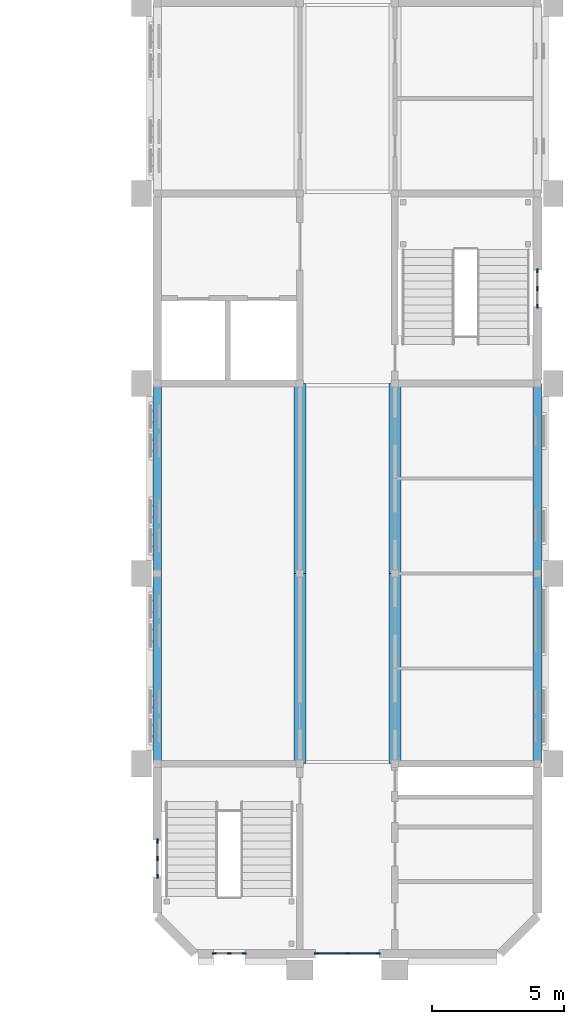
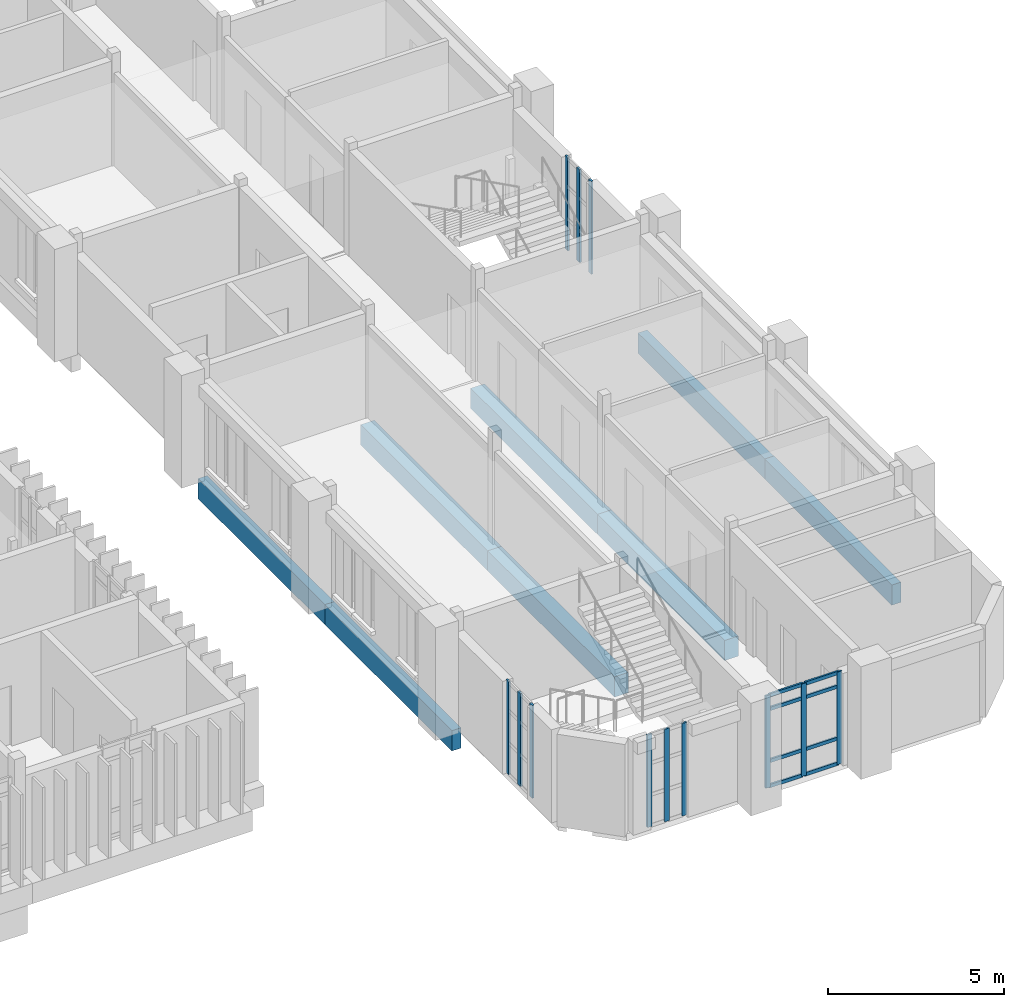
# One storey, part 19 of 69: 20 members, 8 beams, 4 elements without a shape of their own.
"""IFC4 building model written with IfcOpenShell, lengths in metres."""

from ifc_helpers import new_model, si_unit, direction, frame, origin, origin_2d, place, context, subcontext, project, spatial, rectangle, extrude, material, layer, layer_set, material_profile, profile_set, type_object, element, aggregate, save


model = new_model("IFC4")

# Units and contexts
model_context = context("Model", 3, precision=1e-05, world=origin(), true_north=direction((0.0, 1.0)))
body_context = subcontext(model_context, "Body", "Model", "MODEL_VIEW")
ifc_project = project(units=[si_unit("LENGTHUNIT", "METRE"), si_unit("AREAUNIT", "SQUARE_METRE"), si_unit("VOLUMEUNIT", "CUBIC_METRE"), si_unit("PLANEANGLEUNIT", "RADIAN"), si_unit("MASSUNIT", "GRAM", prefix="KILO")], contexts=[model_context])

# Site, building, storey
site_placement = place(None, origin())
site = spatial("IfcSite", under=ifc_project, at=site_placement, CompositionType="ELEMENT")
building_placement = place(site_placement, origin())
building = spatial("IfcBuilding", under=site, at=building_placement, Name="Mazhai Court Health Centre", CompositionType="ELEMENT")
storey_placement = place(building_placement, frame((0.0, 0.0, 6.300048828125)))
storey = spatial("IfcBuildingStorey", under=building, at=storey_placement, Name="L01", CompositionType="ELEMENT", Elevation=6.300048828125)

# Curtain wall, members
ifc_material_1 = material(Name="Teak timber frame, glazed", Category="wood")
ifc_layer_1 = layer(ifc_material_1, 0.10009765625)
ifc_layer_set_1 = layer_set([ifc_layer_1], Name="CURTAIN WALL TIMBER 600")
curtain_wall_type_1 = type_object("IfcCurtainWallType", Name="CURTAIN WALL TIMBER 600", PredefinedType="NOTDEFINED", material=ifc_layer_set_1)
curtain_wall_1_placement = place(storey_placement, origin())
curtain_wall_1 = element("IfcCurtainWall", 1, at=curtain_wall_1_placement, inside=storey, type_object=curtain_wall_type_1, Name="CW-V6-L01-A0", PredefinedType="NOTDEFINED")
ifc_material_2 = material(Name="Teak timber", Category="wood")
ifc_material_profile_1 = material_profile(ifc_material_2, rectangle(XDim=0.06005859375, YDim=0.159912109375, at=origin_2d()), Name="CW MULLION 60x160")
ifc_profile_set_1 = profile_set([ifc_material_profile_1], Name="Teak timber")
member_type_1 = type_object("IfcMemberType", Name="CW MULLION 60x160", PredefinedType="MULLION", material=ifc_profile_set_1)
member_1_placement = place(storey_placement, frame((135.800048828125, 9.1298828125, 0.0), z_axis=(0.0, 0.0, 1.0), x_axis=(-1.0, 0.0, 0.0)))
member_1 = element("IfcMember", 2, at=member_1_placement, type_object=member_type_1, Name="CW mullion 1", PredefinedType="MULLION", context=body_context, shape_type="SweptSolid", body=[
    extrude(rectangle(XDim=0.06005859375, YDim=0.159912109375, at=origin_2d()), origin(), (0.0, 0.0, 1.0), 3.219970703125),
])
member_2_placement = place(storey_placement, frame((135.800048828125, 9.800048828125, 0.0), z_axis=(0.0, 0.0, 1.0), x_axis=(-1.0, 0.0, 0.0)))
member_2 = element("IfcMember", 3, at=member_2_placement, type_object=member_type_1, Name="CW mullion 2", PredefinedType="MULLION", context=body_context, shape_type="SweptSolid", body=[
    extrude(rectangle(XDim=0.06005859375, YDim=0.159912109375, at=origin_2d()), origin(), (0.0, 0.0, 1.0), 3.219970703125),
])
member_3_placement = place(storey_placement, frame((135.800048828125, 10.469970703125, 0.0), z_axis=(0.0, 0.0, 1.0), x_axis=(-1.0, 0.0, 0.0)))
member_3 = element("IfcMember", 4, at=member_3_placement, type_object=member_type_1, Name="CW mullion 3", PredefinedType="MULLION", context=body_context, shape_type="SweptSolid", body=[
    extrude(rectangle(XDim=0.06005859375, YDim=0.159912109375, at=origin_2d()), origin(), (0.0, 0.0, 1.0), 3.219970703125),
])
aggregate(curtain_wall_1, [member_1, member_2, member_3])

curtain_wall_2_placement = place(storey_placement, origin())
curtain_wall_2 = element("IfcCurtainWall", 5, at=curtain_wall_2_placement, inside=storey, type_object=curtain_wall_type_1, Name="CW-V6-L01-B3", PredefinedType="NOTDEFINED")
member_4_placement = place(storey_placement, frame((150.199951171875, 32.070068359375, 0.0), z_axis=(0.0, 0.0, 1.0), x_axis=(1.0, 0.0, 0.0)))
member_4 = element("IfcMember", 6, at=member_4_placement, type_object=member_type_1, Name="CW mullion 1", PredefinedType="MULLION", context=body_context, shape_type="SweptSolid", body=[
    extrude(rectangle(XDim=0.06005859375, YDim=0.159912109375, at=origin_2d()), origin(), (0.0, 0.0, 1.0), 3.219970703125),
])
member_5_placement = place(storey_placement, frame((150.199951171875, 31.39990234375, 0.0), z_axis=(0.0, 0.0, 1.0), x_axis=(1.0, 0.0, 0.0)))
member_5 = element("IfcMember", 7, at=member_5_placement, type_object=member_type_1, Name="CW mullion 2", PredefinedType="MULLION", context=body_context, shape_type="SweptSolid", body=[
    extrude(rectangle(XDim=0.06005859375, YDim=0.159912109375, at=origin_2d()), origin(), (0.0, 0.0, 1.0), 3.219970703125),
])
member_6_placement = place(storey_placement, frame((150.199951171875, 30.72998046875, 0.0), z_axis=(0.0, 0.0, 1.0), x_axis=(1.0, 0.0, 0.0)))
member_6 = element("IfcMember", 8, at=member_6_placement, type_object=member_type_1, Name="CW mullion 3", PredefinedType="MULLION", context=body_context, shape_type="SweptSolid", body=[
    extrude(rectangle(XDim=0.06005859375, YDim=0.159912109375, at=origin_2d()), origin(), (0.0, 0.0, 1.0), 3.219970703125),
])
aggregate(curtain_wall_2, [member_4, member_5, member_6])

curtain_wall_3_placement = place(storey_placement, origin())
curtain_wall_3 = element("IfcCurtainWall", 9, at=curtain_wall_3_placement, inside=storey, type_object=curtain_wall_type_1, Name="CW-V6-L01-SSTAIR0", PredefinedType="NOTDEFINED")
member_7_placement = place(storey_placement, frame((139.090087890625, 6.199951171875, 0.0), z_axis=(0.0, 0.0, 1.0), x_axis=(0.0, -1.0, 0.0)))
member_7 = element("IfcMember", 10, at=member_7_placement, type_object=member_type_1, Name="CW mullion 1", PredefinedType="MULLION", context=body_context, shape_type="SweptSolid", body=[
    extrude(rectangle(XDim=0.06005859375, YDim=0.159912109375, at=origin_2d()), origin(), (0.0, 0.0, 1.0), 3.199951171875),
])
member_8_placement = place(storey_placement, frame((138.52001953125, 6.199951171875, 0.0), z_axis=(0.0, 0.0, 1.0), x_axis=(0.0, -1.0, 0.0)))
member_8 = element("IfcMember", 11, at=member_8_placement, type_object=member_type_1, Name="CW mullion 2", PredefinedType="MULLION", context=body_context, shape_type="SweptSolid", body=[
    extrude(rectangle(XDim=0.06005859375, YDim=0.159912109375, at=origin_2d()), origin(), (0.0, 0.0, 1.0), 3.199951171875),
])
member_9_placement = place(storey_placement, frame((137.949951171875, 6.199951171875, 0.0), z_axis=(0.0, 0.0, 1.0), x_axis=(0.0, -1.0, 0.0)))
member_9 = element("IfcMember", 12, at=member_9_placement, type_object=member_type_1, Name="CW mullion 3", PredefinedType="MULLION", context=body_context, shape_type="SweptSolid", body=[
    extrude(rectangle(XDim=0.06005859375, YDim=0.159912109375, at=origin_2d()), origin(), (0.0, 0.0, 1.0), 3.199951171875),
])
aggregate(curtain_wall_3, [member_7, member_8, member_9])

ifc_material_3 = material(Name="Teak timber frame, glazed", Category="wood")
ifc_layer_2 = layer(ifc_material_3, 0.10009765625)
ifc_layer_set_2 = layer_set([ifc_layer_2], Name="CURTAIN WALL TIMBER 1200")
curtain_wall_type_2 = type_object("IfcCurtainWallType", Name="CURTAIN WALL TIMBER 1200", PredefinedType="NOTDEFINED", material=ifc_layer_set_2)
curtain_wall_4_placement = place(storey_placement, origin())
curtain_wall_4 = element("IfcCurtainWall", 13, at=curtain_wall_4_placement, inside=storey, type_object=curtain_wall_type_2, Name="CW-V6-L01-SEND1", PredefinedType="NOTDEFINED")
member_10_placement = place(storey_placement, frame((144.169921875, 6.199951171875, 0.0), z_axis=(0.0, 0.0, 1.0), x_axis=(0.0, -1.0, 0.0)))
member_10 = element("IfcMember", 14, at=member_10_placement, type_object=member_type_1, Name="CW mullion 1", PredefinedType="MULLION", context=body_context, shape_type="SweptSolid", body=[
    extrude(rectangle(XDim=0.06005859375, YDim=0.159912109375, at=origin_2d()), origin(), (0.0, 0.0, 1.0), 3.199951171875),
])
member_11_placement = place(storey_placement, frame((143.0, 6.199951171875, 0.0), z_axis=(0.0, 0.0, 1.0), x_axis=(0.0, -1.0, 0.0)))
member_11 = element("IfcMember", 15, at=member_11_placement, type_object=member_type_1, Name="CW mullion 2", PredefinedType="MULLION", context=body_context, shape_type="SweptSolid", body=[
    extrude(rectangle(XDim=0.06005859375, YDim=0.159912109375, at=origin_2d()), origin(), (0.0, 0.0, 1.0), 3.199951171875),
])
member_12_placement = place(storey_placement, frame((141.830078125, 6.199951171875, 0.0), z_axis=(0.0, 0.0, 1.0), x_axis=(0.0, -1.0, 0.0)))
member_12 = element("IfcMember", 16, at=member_12_placement, type_object=member_type_1, Name="CW mullion 3", PredefinedType="MULLION", context=body_context, shape_type="SweptSolid", body=[
    extrude(rectangle(XDim=0.06005859375, YDim=0.159912109375, at=origin_2d()), origin(), (0.0, 0.0, 1.0), 3.199951171875),
])
ifc_material_4 = material(Name="Teak timber", Category="wood")
ifc_material_profile_2 = material_profile(ifc_material_4, rectangle(XDim=0.06005859375, YDim=0.1201171875, at=origin_2d()), Name="CW TRANSOM 60x120")
ifc_profile_set_2 = profile_set([ifc_material_profile_2], Name="Teak timber")
member_type_2 = type_object("IfcMemberType", Name="CW TRANSOM 60x120", PredefinedType="USERDEFINED", material=ifc_profile_set_2)
member_13_placement = place(storey_placement, frame((144.139892578125, 6.199951171875, 0.030029296875), z_axis=(-1.0, 0.0, 0.0), x_axis=(0.0, -1.0, 0.0)))
member_13 = element("IfcMember", 17, at=member_13_placement, type_object=member_type_2, Name="CW transom 1.1", ObjectType="TRANSOM", PredefinedType="USERDEFINED", context=body_context, shape_type="SweptSolid", body=[
    extrude(rectangle(XDim=0.06005859375, YDim=0.1201171875, at=origin_2d()), origin(), (0.0, 0.0, 1.0), 1.10986328125),
])
member_14_placement = place(storey_placement, frame((144.139892578125, 6.199951171875, 0.89990234375), z_axis=(-1.0, 0.0, 0.0), x_axis=(0.0, -1.0, 0.0)))
member_14 = element("IfcMember", 18, at=member_14_placement, type_object=member_type_2, Name="CW transom 1.2", ObjectType="TRANSOM", PredefinedType="USERDEFINED", context=body_context, shape_type="SweptSolid", body=[
    extrude(rectangle(XDim=0.06005859375, YDim=0.1201171875, at=origin_2d()), origin(), (0.0, 0.0, 1.0), 1.10986328125),
])
member_15_placement = place(storey_placement, frame((144.139892578125, 6.199951171875, 2.699951171875), z_axis=(-1.0, 0.0, 0.0), x_axis=(0.0, -1.0, 0.0)))
member_15 = element("IfcMember", 19, at=member_15_placement, type_object=member_type_2, Name="CW transom 1.3", ObjectType="TRANSOM", PredefinedType="USERDEFINED", context=body_context, shape_type="SweptSolid", body=[
    extrude(rectangle(XDim=0.06005859375, YDim=0.1201171875, at=origin_2d()), origin(), (0.0, 0.0, 1.0), 1.10986328125),
])
member_16_placement = place(storey_placement, frame((144.139892578125, 6.199951171875, 3.169921875), z_axis=(-1.0, 0.0, 0.0), x_axis=(0.0, -1.0, 0.0)))
member_16 = element("IfcMember", 20, at=member_16_placement, type_object=member_type_2, Name="CW transom 1.4", ObjectType="TRANSOM", PredefinedType="USERDEFINED", context=body_context, shape_type="SweptSolid", body=[
    extrude(rectangle(XDim=0.06005859375, YDim=0.1201171875, at=origin_2d()), origin(), (0.0, 0.0, 1.0), 1.10986328125),
])
member_17_placement = place(storey_placement, frame((142.969970703125, 6.199951171875, 0.030029296875), z_axis=(-1.0, 0.0, 0.0), x_axis=(0.0, -1.0, 0.0)))
member_17 = element("IfcMember", 21, at=member_17_placement, type_object=member_type_2, Name="CW transom 2.1", ObjectType="TRANSOM", PredefinedType="USERDEFINED", context=body_context, shape_type="SweptSolid", body=[
    extrude(rectangle(XDim=0.06005859375, YDim=0.1201171875, at=origin_2d()), origin(), (0.0, 0.0, 1.0), 1.10986328125),
])
member_18_placement = place(storey_placement, frame((142.969970703125, 6.199951171875, 0.89990234375), z_axis=(-1.0, 0.0, 0.0), x_axis=(0.0, -1.0, 0.0)))
member_18 = element("IfcMember", 22, at=member_18_placement, type_object=member_type_2, Name="CW transom 2.2", ObjectType="TRANSOM", PredefinedType="USERDEFINED", context=body_context, shape_type="SweptSolid", body=[
    extrude(rectangle(XDim=0.06005859375, YDim=0.1201171875, at=origin_2d()), origin(), (0.0, 0.0, 1.0), 1.10986328125),
])
member_19_placement = place(storey_placement, frame((142.969970703125, 6.199951171875, 2.699951171875), z_axis=(-1.0, 0.0, 0.0), x_axis=(0.0, -1.0, 0.0)))
member_19 = element("IfcMember", 23, at=member_19_placement, type_object=member_type_2, Name="CW transom 2.3", ObjectType="TRANSOM", PredefinedType="USERDEFINED", context=body_context, shape_type="SweptSolid", body=[
    extrude(rectangle(XDim=0.06005859375, YDim=0.1201171875, at=origin_2d()), origin(), (0.0, 0.0, 1.0), 1.10986328125),
])
member_20_placement = place(storey_placement, frame((142.969970703125, 6.199951171875, 3.169921875), z_axis=(-1.0, 0.0, 0.0), x_axis=(0.0, -1.0, 0.0)))
member_20 = element("IfcMember", 24, at=member_20_placement, type_object=member_type_2, Name="CW transom 2.4", ObjectType="TRANSOM", PredefinedType="USERDEFINED", context=body_context, shape_type="SweptSolid", body=[
    extrude(rectangle(XDim=0.06005859375, YDim=0.1201171875, at=origin_2d()), origin(), (0.0, 0.0, 1.0), 1.10986328125),
])
aggregate(curtain_wall_4, [member_10, member_11, member_12, member_13, member_14, member_15, member_16, member_17, member_18, member_19, member_20])

# Beams
ifc_material_5 = material(Name="Concrete M40", Category="concrete")
ifc_material_profile_3 = material_profile(ifc_material_5, rectangle(XDim=0.300048828125, YDim=0.699951171875, at=origin_2d()), Name="RC 300x700")
ifc_profile_set_3 = profile_set([ifc_material_profile_3], Name="Concrete M40")
beam_type_1 = type_object("IfcBeamType", Name="RC BEAM 300x700 M40", PredefinedType="BEAM", material=ifc_profile_set_3)
beam_1_placement = place(storey_placement, frame((135.800048828125, 13.39990234375, -0.60009765625), z_axis=(0.0, 1.0, 0.0), x_axis=(-1.0, 0.0, 0.0)))
element("IfcBeam", 25, at=beam_1_placement, inside=storey, type_object=beam_type_1, Name="beam-V6-L01-135.8-13.4-135.8-20.6", PredefinedType="BEAM", context=body_context, shape_type="SweptSolid", body=[
    extrude(rectangle(XDim=0.300048828125, YDim=0.699951171875, at=origin_2d()), origin(), (0.0, 0.0, 1.0), 7.2001953125),
])
beam_2_placement = place(storey_placement, frame((135.800048828125, 20.60009765625, -0.60009765625), z_axis=(0.0, 1.0, 0.0), x_axis=(-1.0, 0.0, 0.0)))
element("IfcBeam", 26, at=beam_2_placement, inside=storey, type_object=beam_type_1, Name="beam-V6-L01-135.8-20.6-135.8-27.8", PredefinedType="BEAM", context=body_context, shape_type="SweptSolid", body=[
    extrude(rectangle(XDim=0.300048828125, YDim=0.699951171875, at=origin_2d()), origin(), (0.0, 0.0, 1.0), 7.199951171875),
])
beam_3_placement = place(storey_placement, frame((150.199951171875, 13.39990234375, -0.60009765625), z_axis=(0.0, 1.0, 0.0), x_axis=(-1.0, 0.0, 0.0)))
element("IfcBeam", 27, at=beam_3_placement, inside=storey, type_object=beam_type_1, Name="beam-V6-L01-150.2-13.4-150.2-20.6", PredefinedType="BEAM", context=body_context, shape_type="SweptSolid", body=[
    extrude(rectangle(XDim=0.300048828125, YDim=0.699951171875, at=origin_2d()), origin(), (0.0, 0.0, 1.0), 7.2001953125),
])
beam_4_placement = place(storey_placement, frame((150.199951171875, 20.60009765625, -0.60009765625), z_axis=(0.0, 1.0, 0.0), x_axis=(-1.0, 0.0, 0.0)))
element("IfcBeam", 28, at=beam_4_placement, inside=storey, type_object=beam_type_1, Name="beam-V6-L01-150.2-20.6-150.2-27.8", PredefinedType="BEAM", context=body_context, shape_type="SweptSolid", body=[
    extrude(rectangle(XDim=0.300048828125, YDim=0.699951171875, at=origin_2d()), origin(), (0.0, 0.0, 1.0), 7.199951171875),
])
ifc_material_6 = material(Name="Concrete M40", Category="concrete")
ifc_material_profile_4 = material_profile(ifc_material_6, rectangle(XDim=0.449951171875, YDim=0.699951171875, at=origin_2d()), Name="RC 450x700")
ifc_profile_set_4 = profile_set([ifc_material_profile_4], Name="Concrete M40")
beam_type_2 = type_object("IfcBeamType", Name="RC BEAM 450x700 M40", PredefinedType="BEAM", material=ifc_profile_set_4)
beam_5_placement = place(storey_placement, frame((141.199951171875, 13.39990234375, -0.60009765625), z_axis=(0.0, 1.0, 0.0), x_axis=(-1.0, 0.0, 0.0)))
element("IfcBeam", 29, at=beam_5_placement, inside=storey, type_object=beam_type_2, Name="beam-V6-L01-141.2-13.4-141.2-20.6", PredefinedType="BEAM", context=body_context, shape_type="SweptSolid", body=[
    extrude(rectangle(XDim=0.449951171875, YDim=0.699951171875, at=origin_2d()), origin(), (0.0, 0.0, 1.0), 7.2001953125),
])
beam_6_placement = place(storey_placement, frame((141.199951171875, 20.60009765625, -0.60009765625), z_axis=(0.0, 1.0, 0.0), x_axis=(-1.0, 0.0, 0.0)))
element("IfcBeam", 30, at=beam_6_placement, inside=storey, type_object=beam_type_2, Name="beam-V6-L01-141.2-20.6-141.2-27.8", PredefinedType="BEAM", context=body_context, shape_type="SweptSolid", body=[
    extrude(rectangle(XDim=0.449951171875, YDim=0.699951171875, at=origin_2d()), origin(), (0.0, 0.0, 1.0), 7.199951171875),
])
beam_7_placement = place(storey_placement, frame((144.800048828125, 13.39990234375, -0.60009765625), z_axis=(0.0, 1.0, 0.0), x_axis=(-1.0, 0.0, 0.0)))
element("IfcBeam", 31, at=beam_7_placement, inside=storey, type_object=beam_type_2, Name="beam-V6-L01-144.8-13.4-144.8-20.6", PredefinedType="BEAM", context=body_context, shape_type="SweptSolid", body=[
    extrude(rectangle(XDim=0.449951171875, YDim=0.699951171875, at=origin_2d()), origin(), (0.0, 0.0, 1.0), 7.2001953125),
])
beam_8_placement = place(storey_placement, frame((144.800048828125, 20.60009765625, -0.60009765625), z_axis=(0.0, 1.0, 0.0), x_axis=(-1.0, 0.0, 0.0)))
element("IfcBeam", 32, at=beam_8_placement, inside=storey, type_object=beam_type_2, Name="beam-V6-L01-144.8-20.6-144.8-27.8", PredefinedType="BEAM", context=body_context, shape_type="SweptSolid", body=[
    extrude(rectangle(XDim=0.449951171875, YDim=0.699951171875, at=origin_2d()), origin(), (0.0, 0.0, 1.0), 7.199951171875),
])

save(model, "model.ifc")
